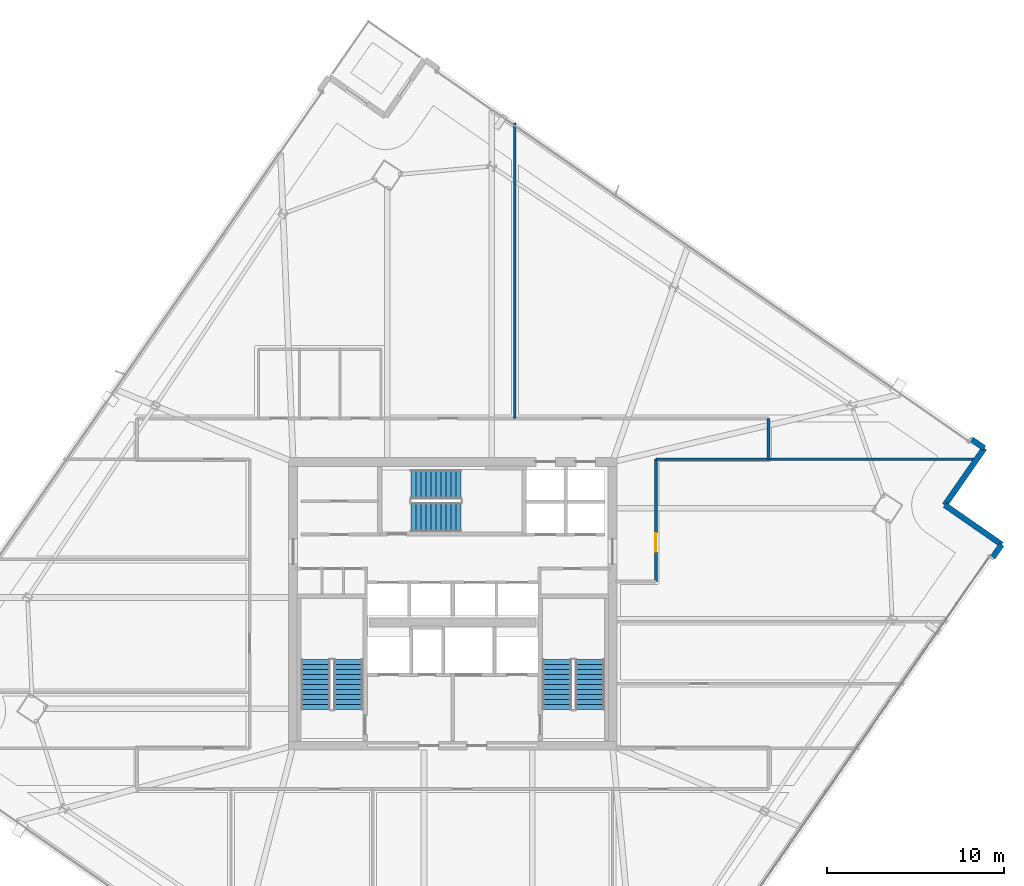
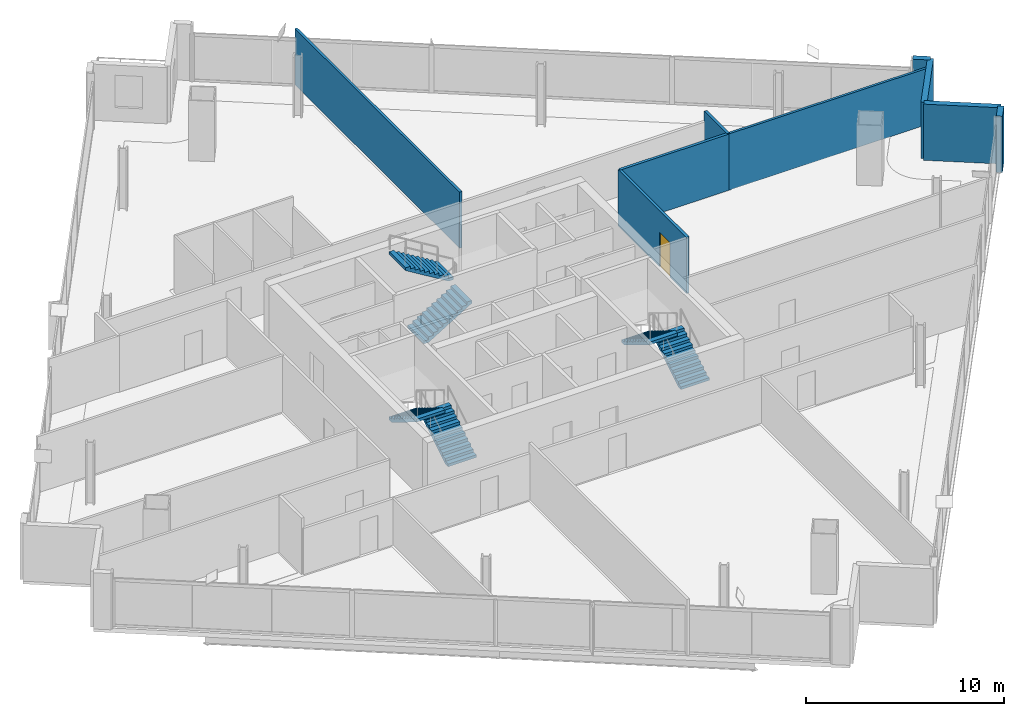
# One storey, part 25 of 30: 9 walls, 6 stair flights, 1 door, 1 opening, 3 elements without a shape of their own.
"""IFC4 building model written with IfcOpenShell, lengths in metres."""

from ifc_helpers import new_model, si_unit, direction, frame, frame_2d, origin, place, context, subcontext, project, spatial, polyline, rectangle, outline, extrude, material, layer, layer_set, type_object, element, fill, aggregate, save


model = new_model("IFC4")

# Units and contexts
model_context = context("Model", 3, precision=1e-05, world=origin(), true_north=direction((0.0, 1.0)))
body_context = subcontext(model_context, "Body", "Model", "MODEL_VIEW")
ifc_project = project(units=[si_unit("LENGTHUNIT", "METRE"), si_unit("AREAUNIT", "SQUARE_METRE"), si_unit("VOLUMEUNIT", "CUBIC_METRE"), si_unit("PLANEANGLEUNIT", "RADIAN"), si_unit("MASSUNIT", "GRAM", prefix="KILO")], contexts=[model_context])

# Site, building, storey
site_placement = place(None, origin())
site = spatial("IfcSite", under=ifc_project, at=site_placement, CompositionType="ELEMENT")
building_placement = place(site_placement, origin())
building = spatial("IfcBuilding", under=site, at=building_placement, Name="Haldenkirk Collegiate Tower", CompositionType="ELEMENT")
storey_placement = place(building_placement, frame((0.0, 0.0, 213.449951171875)))
storey = spatial("IfcBuildingStorey", under=building, at=storey_placement, Name="L53", CompositionType="ELEMENT", Elevation=213.449951171875)

# Walls
ifc_material_1 = material(Name="Precast concrete f'c 40 MPa", Category="concrete")
ifc_layer_1 = layer(ifc_material_1, 0.320068359375)
ifc_layer_set_1 = layer_set([ifc_layer_1], Name="Precast concrete f'c 40 MPa")
wall_type_1 = type_object("IfcWallType", Name="WL-EXT-TWR-320", PredefinedType="STANDARD", material=ifc_layer_set_1)
wall_1_placement = place(storey_placement, frame((66.939697265625, 29.339599609375, 0.0), z_axis=(0.0, 0.0, 1.0), x_axis=(-0.570746526938, -0.821126300875, 0.0)))
element("IfcWall", 1, at=wall_1_placement, inside=storey, type_object=wall_type_1, Name="L53 precast corner pier SL", PredefinedType="STANDARD", context=body_context, shape_type="SweptSolid", body=[
    extrude(rectangle(XDim=0.89990234375, YDim=0.320068359375, at=frame_2d((0.449951171875, 0.0))), origin(), (0.0, 0.0, 1.0), 3.469970703125),
])
wall_2_placement = place(storey_placement, frame((63.737060546875, 31.5654296875, 0.0), z_axis=(0.0, 0.0, 1.0), x_axis=(0.821156469931, -0.570703120625, 0.0)))
element("IfcWall", 2, at=wall_2_placement, inside=storey, type_object=wall_type_1, Name="L53 bronze precast notch wall 02", PredefinedType="STANDARD", context=body_context, shape_type="SweptSolid", body=[
    extrude(rectangle(XDim=3.900146484375, YDim=0.320068359375, at=frame_2d((1.9501953125, 0.0))), origin(), (0.0, 0.0, 1.0), 3.469970703125),
])
wall_3_placement = place(storey_placement, frame((65.962890625, 34.767822265625, 0.0), z_axis=(0.0, 0.0, 1.0), x_axis=(-0.570732457334, -0.821136080163, 0.0)))
element("IfcWall", 3, at=wall_3_placement, inside=storey, type_object=wall_type_1, Name="L53 bronze precast notch wall 03", PredefinedType="STANDARD", context=body_context, shape_type="SweptSolid", body=[
    extrude(rectangle(XDim=3.89990234375, YDim=0.320068359375, at=frame_2d((1.949951171875, 0.0))), origin(), (0.0, 0.0, 1.0), 3.469970703125),
])
wall_4_placement = place(storey_placement, frame((65.223876953125, 35.281494140625, 0.0), z_axis=(0.0, 0.0, 1.0), x_axis=(0.821126300875, -0.570746526938, 0.0)))
element("IfcWall", 4, at=wall_4_placement, inside=storey, type_object=wall_type_1, Name="L53 precast corner pier ER", PredefinedType="STANDARD", context=body_context, shape_type="SweptSolid", body=[
    extrude(rectangle(XDim=0.89990234375, YDim=0.320068359375, at=frame_2d((0.449951171875, 0.0))), origin(), (0.0, 0.0, 1.0), 3.469970703125),
])
ifc_material_2 = material(Name="Acoustic fire-rated gypsum partition", Category="concrete")
ifc_layer_2 = layer(ifc_material_2, 0.159912109375)
ifc_layer_set_2 = layer_set([ifc_layer_2], Name="Acoustic fire-rated gypsum partition")
wall_type_2 = type_object("IfcWallType", Name="WL-INT-CORR-160", PredefinedType="PARTITIONING", material=ifc_layer_set_2)
wall_5_placement = place(storey_placement, frame((47.449951171875, 34.14990234375, 0.0), z_axis=(0.0, 0.0, 1.0), x_axis=(1.0, 0.0, 0.0)))
element("IfcWall", 5, at=wall_5_placement, inside=storey, type_object=wall_type_2, Name="L53 interior partition IW-L53-CNE", PredefinedType="PARTITIONING", context=body_context, shape_type="SweptSolid", body=[
    extrude(rectangle(XDim=6.35009765625, YDim=0.159912109375, at=frame_2d((3.175048828125, 0.0))), origin(), (0.0, 0.0, 1.0), 3.469970703125),
])

# Wall, opening, door
wall_6_placement = place(storey_placement, frame((47.449951171875, 27.25, 0.0), z_axis=(0.0, 0.0, 1.0), x_axis=(0.0, 1.0, 0.0)))
wall_6 = element("IfcWall", 6, at=wall_6_placement, inside=storey, type_object=wall_type_2, Name="L53 interior partition IW-L53-CE", PredefinedType="PARTITIONING", context=body_context, shape_type="SweptSolid", body=[
    extrude(rectangle(XDim=6.89990234375, YDim=0.159912109375, at=frame_2d((3.449951171875, 0.0))), origin(), (0.0, 0.0, 1.0), 3.469970703125),
])
opening_placement = place(wall_6_placement, frame((1.68310546875, 0.0, 0.0)))
opening = element("IfcOpeningElement", 7, at=opening_placement, cuts=wall_6, Name="Opening D-09", PredefinedType="OPENING", context=body_context, shape_type="SweptSolid", body=[
    extrude(rectangle(XDim=1.050048828125, YDim=2.14990234375, at=frame_2d((0.52490234375, 1.074951171875))), frame((0.0, 0.08984375, 0.0), z_axis=(0.0, -1.0, 0.0), x_axis=(1.0, 0.0, 0.0)), (0.0, 0.0, 1.0), 0.179931640625),
])
ifc_material_3 = material(Name="Solid-core architectural oak fire door", Category="wood")
ifc_layer_3 = layer(ifc_material_3, 0.06005859375)
ifc_layer_set_3 = layer_set([ifc_layer_3], Name="Solid-core architectural oak fire door")
door_type = type_object("IfcDoorType", Name="DR-INT-FD60-1050", OperationType="NOTDEFINED", PredefinedType="DOOR", material=ifc_layer_set_3)
door_placement = place(opening_placement, origin())
door = element("IfcDoor", 8, at=door_placement, inside=storey, type_object=door_type, Name="L53 Curator Office 12 door", OperationType="SINGLE_SWING_RIGHT", OverallHeight=2.14990234375, OverallWidth=1.050048828125, PredefinedType="DOOR", context=body_context, shape_type="SweptSolid", body=[
    extrude(rectangle(XDim=1.050048828125, YDim=2.14990234375, at=frame_2d((0.52490234375, 1.074951171875))), frame((0.0, 0.02490234375, 0.0), z_axis=(0.0, -1.0, 0.0), x_axis=(1.0, 0.0, 0.0)), (0.0, 0.0, 1.0), 0.050048828125),
])
fill(opening, door)

# Walls
wall_7_placement = place(storey_placement, frame((53.800048828125, 34.14990234375, 0.0), z_axis=(0.0, 0.0, 1.0), x_axis=(0.0, 1.0, 0.0)))
element("IfcWall", 9, at=wall_7_placement, inside=storey, type_object=wall_type_2, Name="L53 interior partition IW-L53-CNR", PredefinedType="PARTITIONING", context=body_context, shape_type="SweptSolid", body=[
    extrude(rectangle(XDim=2.300048828125, YDim=0.159912109375, at=frame_2d((1.14990234375, 0.0))), origin(), (0.0, 0.0, 1.0), 3.469970703125),
])
ifc_layer_4 = layer(ifc_material_2, 0.139892578125)
ifc_layer_set_4 = layer_set([ifc_layer_4], Name="Acoustic fire-rated gypsum partition")
wall_type_3 = type_object("IfcWallType", Name="WL-INT-DIV-140", PredefinedType="PARTITIONING", material=ifc_layer_set_4)
wall_8_placement = place(storey_placement, frame((53.800048828125, 34.14990234375, 0.0), z_axis=(0.0, 0.0, 1.0), x_axis=(1.0, 0.0, 0.0)))
element("IfcWall", 10, at=wall_8_placement, inside=storey, type_object=wall_type_3, Name="L53 interior partition IW-L53-BEN", PredefinedType="PARTITIONING", context=body_context, shape_type="SweptSolid", body=[
    extrude(rectangle(XDim=11.6845703125, YDim=0.139892578125, at=frame_2d((5.84228515625, 0.0))), origin(), (0.0, 0.0, 1.0), 3.469970703125),
])
wall_9_placement = place(storey_placement, frame((39.5, 36.449951171875, 0.0), z_axis=(0.0, 0.0, 1.0), x_axis=(0.0, 1.0, 0.0)))
element("IfcWall", 11, at=wall_9_placement, inside=storey, type_object=wall_type_3, Name="L53 interior partition IW-L53-RN1", PredefinedType="PARTITIONING", context=body_context, shape_type="SweptSolid", body=[
    extrude(rectangle(XDim=16.661376953125, YDim=0.139892578125, at=frame_2d((8.33056640625, 0.0))), origin(), (0.0, 0.0, 1.0), 3.469970703125),
])

# Stair, stair flights
ifc_material_4 = material(Name="Concrete f'c 40 MPa", Category="concrete")
stair_type = type_object("IfcStairType", Name="STR-DOGLEG-1650", PredefinedType="HALF_TURN_STAIR", material=ifc_material_4)
stair_1_placement = place(storey_placement, origin())
stair_1 = element("IfcStair", 12, at=stair_1_placement, inside=storey, type_object=stair_type, Name="L53 Core Exit Stair ST-1", PredefinedType="HALF_TURN_STAIR")
stair_flight_type = type_object("IfcStairFlightType", Name="STF-FLIGHT-1650", PredefinedType="STRAIGHT", material=ifc_material_4)
stair_flight_1_placement = place(storey_placement, frame((30.125, 20.050048828125, 0.0), z_axis=(0.0, 0.0, 1.0), x_axis=(0.0, 1.0, 0.0)))
stair_flight_1 = element("IfcStairFlight", 13, at=stair_flight_1_placement, type_object=stair_flight_type, Name="ST-1 flight 1", NumberOfRisers=11, NumberOfTreads=10, PredefinedType="STRAIGHT", RiserHeight=0.170454545, TreadLength=0.28, context=body_context, shape_type="SweptSolid", body=[
    extrude(outline(polyline([(0.0, 0.0), (0.0, 0.17041015625), (0.280029296875, 0.17041015625), (0.280029296875, 0.3408203125), (0.56005859375, 0.3408203125), (0.56005859375, 0.511474609375), (0.840087890625, 0.511474609375), (0.840087890625, 0.681884765625), (1.1201171875, 0.681884765625), (1.1201171875, 0.852294921875), (1.39990234375, 0.852294921875), (1.39990234375, 1.022705078125), (1.679931640625, 1.022705078125), (1.679931640625, 1.193115234375), (1.9599609375, 1.193115234375), (1.9599609375, 1.363525390625), (2.239990234375, 1.363525390625), (2.239990234375, 1.5341796875), (2.52001953125, 1.5341796875), (2.52001953125, 1.70458984375), (2.800048828125, 1.70458984375), (2.800048828125, 1.875), (2.800048828125, 1.529052734375), (0.288330078125, 0.0), (0.0, 0.0)])), frame((0.0, 0.824951171875, 0.0), z_axis=(0.0, -1.0, 0.0), x_axis=(1.0, 0.0, 0.0)), (0.0, 0.0, 1.0), 1.64990234375),
])
stair_flight_2_placement = place(storey_placement, frame((28.27490234375, 22.85009765625, 1.875), z_axis=(0.0, 0.0, 1.0), x_axis=(0.0, -1.0, 0.0)))
stair_flight_2 = element("IfcStairFlight", 14, at=stair_flight_2_placement, type_object=stair_flight_type, Name="ST-1 flight 2", NumberOfRisers=11, NumberOfTreads=10, PredefinedType="STRAIGHT", RiserHeight=0.170454545, TreadLength=0.28, context=body_context, shape_type="SweptSolid", body=[
    extrude(outline(polyline([(0.0, 0.0), (0.0, 0.17041015625), (0.280029296875, 0.17041015625), (0.280029296875, 0.3408203125), (0.56005859375, 0.3408203125), (0.56005859375, 0.511474609375), (0.840087890625, 0.511474609375), (0.840087890625, 0.681884765625), (1.1201171875, 0.681884765625), (1.1201171875, 0.852294921875), (1.39990234375, 0.852294921875), (1.39990234375, 1.022705078125), (1.679931640625, 1.022705078125), (1.679931640625, 1.193115234375), (1.9599609375, 1.193115234375), (1.9599609375, 1.363525390625), (2.239990234375, 1.363525390625), (2.239990234375, 1.5341796875), (2.52001953125, 1.5341796875), (2.52001953125, 1.70458984375), (2.800048828125, 1.70458984375), (2.800048828125, 1.875), (2.800048828125, 1.529052734375), (0.288330078125, 0.0), (0.0, 0.0)])), frame((0.0, 0.824951171875, 0.0), z_axis=(0.0, -1.0, 0.0), x_axis=(1.0, 0.0, 0.0)), (0.0, 0.0, 1.0), 1.64990234375),
])
aggregate(stair_1, [stair_flight_1, stair_flight_2])

stair_2_placement = place(storey_placement, origin())
stair_2 = element("IfcStair", 15, at=stair_2_placement, inside=storey, type_object=stair_type, Name="L53 Core Exit Stair ST-2", PredefinedType="HALF_TURN_STAIR")
stair_flight_3_placement = place(storey_placement, frame((43.72509765625, 20.050048828125, 0.0), z_axis=(0.0, 0.0, 1.0), x_axis=(0.0, 1.0, 0.0)))
stair_flight_3 = element("IfcStairFlight", 16, at=stair_flight_3_placement, type_object=stair_flight_type, Name="ST-2 flight 1", NumberOfRisers=11, NumberOfTreads=10, PredefinedType="STRAIGHT", RiserHeight=0.170454545, TreadLength=0.28, context=body_context, shape_type="SweptSolid", body=[
    extrude(outline(polyline([(0.0, 0.0), (0.0, 0.17041015625), (0.280029296875, 0.17041015625), (0.280029296875, 0.3408203125), (0.56005859375, 0.3408203125), (0.56005859375, 0.511474609375), (0.840087890625, 0.511474609375), (0.840087890625, 0.681884765625), (1.1201171875, 0.681884765625), (1.1201171875, 0.852294921875), (1.39990234375, 0.852294921875), (1.39990234375, 1.022705078125), (1.679931640625, 1.022705078125), (1.679931640625, 1.193115234375), (1.9599609375, 1.193115234375), (1.9599609375, 1.363525390625), (2.239990234375, 1.363525390625), (2.239990234375, 1.5341796875), (2.52001953125, 1.5341796875), (2.52001953125, 1.70458984375), (2.800048828125, 1.70458984375), (2.800048828125, 1.875), (2.800048828125, 1.529052734375), (0.288330078125, 0.0), (0.0, 0.0)])), frame((0.0, 0.824951171875, 0.0), z_axis=(0.0, -1.0, 0.0), x_axis=(1.0, 0.0, 0.0)), (0.0, 0.0, 1.0), 1.64990234375),
])
stair_flight_4_placement = place(storey_placement, frame((41.875, 22.85009765625, 1.875), z_axis=(0.0, 0.0, 1.0), x_axis=(0.0, -1.0, 0.0)))
stair_flight_4 = element("IfcStairFlight", 17, at=stair_flight_4_placement, type_object=stair_flight_type, Name="ST-2 flight 2", NumberOfRisers=11, NumberOfTreads=10, PredefinedType="STRAIGHT", RiserHeight=0.170454545, TreadLength=0.28, context=body_context, shape_type="SweptSolid", body=[
    extrude(outline(polyline([(0.0, 0.0), (0.0, 0.17041015625), (0.280029296875, 0.17041015625), (0.280029296875, 0.3408203125), (0.56005859375, 0.3408203125), (0.56005859375, 0.511474609375), (0.840087890625, 0.511474609375), (0.840087890625, 0.681884765625), (1.1201171875, 0.681884765625), (1.1201171875, 0.852294921875), (1.39990234375, 0.852294921875), (1.39990234375, 1.022705078125), (1.679931640625, 1.022705078125), (1.679931640625, 1.193115234375), (1.9599609375, 1.193115234375), (1.9599609375, 1.363525390625), (2.239990234375, 1.363525390625), (2.239990234375, 1.5341796875), (2.52001953125, 1.5341796875), (2.52001953125, 1.70458984375), (2.800048828125, 1.70458984375), (2.800048828125, 1.875), (2.800048828125, 1.529052734375), (0.288330078125, 0.0), (0.0, 0.0)])), frame((0.0, 0.824951171875, 0.0), z_axis=(0.0, -1.0, 0.0), x_axis=(1.0, 0.0, 0.0)), (0.0, 0.0, 1.0), 1.64990234375),
])
aggregate(stair_2, [stair_flight_3, stair_flight_4])

stair_3_placement = place(storey_placement, origin())
stair_3 = element("IfcStair", 18, at=stair_3_placement, inside=storey, type_object=stair_type, Name="L53 Core Exit Stair ST-3", PredefinedType="HALF_TURN_STAIR")
stair_flight_5_placement = place(storey_placement, frame((33.64990234375, 30.875, 0.0), z_axis=(0.0, 0.0, 1.0), x_axis=(1.0, 0.0, 0.0)))
stair_flight_5 = element("IfcStairFlight", 19, at=stair_flight_5_placement, type_object=stair_flight_type, Name="ST-3 flight 1", NumberOfRisers=11, NumberOfTreads=10, PredefinedType="STRAIGHT", RiserHeight=0.170454545, TreadLength=0.28, context=body_context, shape_type="SweptSolid", body=[
    extrude(outline(polyline([(0.0, 0.0), (0.0, 0.17041015625), (0.280029296875, 0.17041015625), (0.280029296875, 0.3408203125), (0.56005859375, 0.3408203125), (0.56005859375, 0.511474609375), (0.840087890625, 0.511474609375), (0.840087890625, 0.681884765625), (1.1201171875, 0.681884765625), (1.1201171875, 0.852294921875), (1.39990234375, 0.852294921875), (1.39990234375, 1.022705078125), (1.679931640625, 1.022705078125), (1.679931640625, 1.193115234375), (1.9599609375, 1.193115234375), (1.9599609375, 1.363525390625), (2.239990234375, 1.363525390625), (2.239990234375, 1.5341796875), (2.52001953125, 1.5341796875), (2.52001953125, 1.70458984375), (2.800048828125, 1.70458984375), (2.800048828125, 1.875), (2.800048828125, 1.529052734375), (0.288330078125, 0.0), (0.0, 0.0)])), frame((0.0, 0.824951171875, 0.0), z_axis=(0.0, -1.0, 0.0), x_axis=(1.0, 0.0, 0.0)), (0.0, 0.0, 1.0), 1.64990234375),
])
stair_flight_6_placement = place(storey_placement, frame((36.449951171875, 32.72509765625, 1.875), z_axis=(0.0, 0.0, 1.0), x_axis=(-1.0, 0.0, 0.0)))
stair_flight_6 = element("IfcStairFlight", 20, at=stair_flight_6_placement, type_object=stair_flight_type, Name="ST-3 flight 2", NumberOfRisers=11, NumberOfTreads=10, PredefinedType="STRAIGHT", RiserHeight=0.170454545, TreadLength=0.28, context=body_context, shape_type="SweptSolid", body=[
    extrude(outline(polyline([(0.0, 0.0), (0.0, 0.17041015625), (0.280029296875, 0.17041015625), (0.280029296875, 0.3408203125), (0.56005859375, 0.3408203125), (0.56005859375, 0.511474609375), (0.840087890625, 0.511474609375), (0.840087890625, 0.681884765625), (1.1201171875, 0.681884765625), (1.1201171875, 0.852294921875), (1.39990234375, 0.852294921875), (1.39990234375, 1.022705078125), (1.679931640625, 1.022705078125), (1.679931640625, 1.193115234375), (1.9599609375, 1.193115234375), (1.9599609375, 1.363525390625), (2.239990234375, 1.363525390625), (2.239990234375, 1.5341796875), (2.52001953125, 1.5341796875), (2.52001953125, 1.70458984375), (2.800048828125, 1.70458984375), (2.800048828125, 1.875), (2.800048828125, 1.529052734375), (0.288330078125, 0.0), (0.0, 0.0)])), frame((0.0, 0.824951171875, 0.0), z_axis=(0.0, -1.0, 0.0), x_axis=(1.0, 0.0, 0.0)), (0.0, 0.0, 1.0), 1.64990234375),
])
aggregate(stair_3, [stair_flight_5, stair_flight_6])

save(model, "model.ifc")
